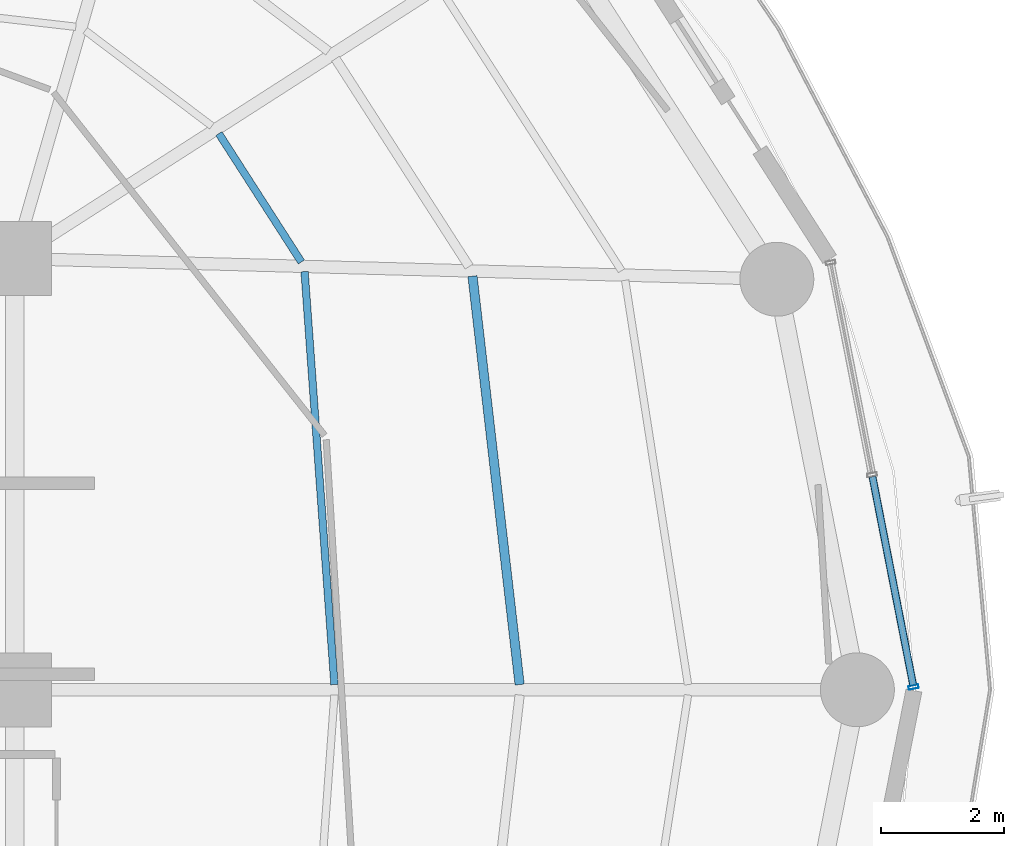
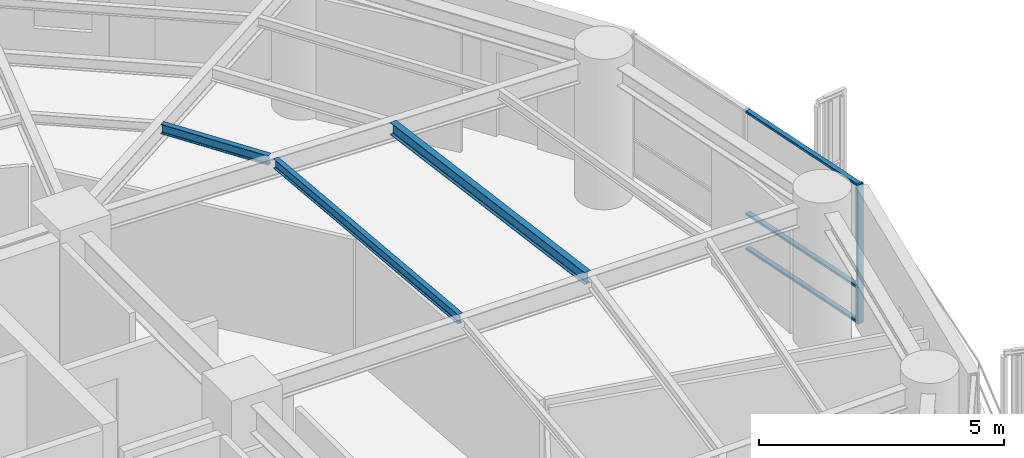
# One storey, part 13 of 27: 4 members, 3 beams, 1 element without a shape of its own.
"""IFC4 building model written with IfcOpenShell, lengths in metres."""

from ifc_helpers import new_model, si_unit, direction, frame, origin, origin_2d, place, context, subcontext, project, spatial, hollow_rectangle, i_section, extrude, material, layer, layer_set, material_profile, profile_set, type_object, element, aggregate, save


model = new_model("IFC4")

# Units and contexts
model_context = context("Model", 3, precision=1e-05, world=origin(), true_north=direction((0.0, 1.0)))
body_context = subcontext(model_context, "Body", "Model", "MODEL_VIEW")
ifc_project = project(units=[si_unit("LENGTHUNIT", "METRE"), si_unit("AREAUNIT", "SQUARE_METRE"), si_unit("VOLUMEUNIT", "CUBIC_METRE"), si_unit("PLANEANGLEUNIT", "RADIAN"), si_unit("MASSUNIT", "GRAM", prefix="KILO")], contexts=[model_context])

# Site, building, storey
site_placement = place(None, origin())
site = spatial("IfcSite", under=ifc_project, at=site_placement, CompositionType="ELEMENT")
building_placement = place(site_placement, origin())
building = spatial("IfcBuilding", under=site, at=building_placement, Name="Kelanora Arch Commons", CompositionType="ELEMENT")
storey_placement = place(building_placement, frame((0.0, 0.0, 150.60009765625)))
storey = spatial("IfcBuildingStorey", under=building, at=storey_placement, Name="L38", CompositionType="ELEMENT", Elevation=150.60009765625)

# Beams
ifc_material_1 = material(Name="Steel S355", Category="steel")
ifc_material_profile_1 = material_profile(ifc_material_1, i_section(OverallWidth=0.14990234375, OverallDepth=0.300048828125, WebThickness=0.007080078125, FlangeThickness=0.0107421875, FilletRadius=0.014892578125, at=origin_2d()), Name="IPE300")
ifc_profile_set_1 = profile_set([ifc_material_profile_1], Name="Steel S355")
beam_type_1 = type_object("IfcBeamType", Name="BM-JST-01", PredefinedType="JOIST", material=ifc_profile_set_1)
beam_1_placement = place(storey_placement, frame((90.1982421875, 58.08447265625, 3.33984375), z_axis=(-0.114667159005, 0.9934039675, 0.0), x_axis=(-0.9934039675, -0.114667159005, 0.0)))
element("IfcBeam", 1, at=beam_1_placement, inside=storey, type_object=beam_type_1, Name="Secondary Chord Joist BJB-00 L38", PredefinedType="JOIST", context=body_context, shape_type="SweptSolid", body=[
    extrude(i_section(OverallWidth=0.14990234375, OverallDepth=0.300048828125, WebThickness=0.007080078125, FlangeThickness=0.0107421875, FilletRadius=0.014892578125, at=origin_2d()), origin(), (0.0, 0.0, 1.0), 6.672607421875),
])
ifc_material_profile_2 = material_profile(ifc_material_1, i_section(OverallWidth=0.1201171875, OverallDepth=0.239990234375, WebThickness=0.006103515625, FlangeThickness=0.009765625, FilletRadius=0.014892578125, at=origin_2d()), Name="IPE240")
ifc_profile_set_2 = profile_set([ifc_material_profile_2], Name="Steel S355")
beam_type_2 = type_object("IfcBeamType", Name="BM-JST-02", PredefinedType="JOIST", material=ifc_profile_set_2)
beam_2_placement = place(storey_placement, frame((87.1923828125, 58.084716796875, 3.369873046875), z_axis=(-0.072117123738, 0.997396170267, 0.0), x_axis=(-0.997396170267, -0.072117123738, 0.0)))
element("IfcBeam", 2, at=beam_2_placement, inside=storey, type_object=beam_type_2, Name="Secondary Chord Joist BJA-00 L38", PredefinedType="JOIST", context=body_context, shape_type="SweptSolid", body=[
    extrude(i_section(OverallWidth=0.1201171875, OverallDepth=0.239990234375, WebThickness=0.006103515625, FlangeThickness=0.009765625, FilletRadius=0.014892578125, at=origin_2d()), origin(), (0.0, 0.0, 1.0), 6.719970703125),
])
beam_3_placement = place(storey_placement, frame((86.655517578125, 64.943359375, 3.369873046875), z_axis=(-0.540583174025, 0.841290575224, 0.0), x_axis=(-0.841290575224, -0.540583174025, 0.0)))
element("IfcBeam", 3, at=beam_3_placement, inside=storey, type_object=beam_type_2, Name="Secondary Chord Joist BJA-02 L38", PredefinedType="JOIST", context=body_context, shape_type="SweptSolid", body=[
    extrude(i_section(OverallWidth=0.1201171875, OverallDepth=0.239990234375, WebThickness=0.006103515625, FlangeThickness=0.009765625, FilletRadius=0.014892578125, at=origin_2d()), origin(), (0.0, 0.0, 1.0), 2.476318359375),
])

# Curtain wall, members
ifc_material_2 = material(Name="Terracotta ceramic-fritted low-E glass and aluminium", Category="masonry")
ifc_layer = layer(ifc_material_2, 0.175048828125)
ifc_layer_set = layer_set([ifc_layer], Name="Terracotta ceramic-fritted low-E glass and aluminium")
curtain_wall_type = type_object("IfcCurtainWallType", Name="CW-SYS-02", PredefinedType="NOTDEFINED", material=ifc_layer_set)
curtain_wall_placement = place(storey_placement, origin())
curtain_wall = element("IfcCurtainWall", 4, at=curtain_wall_placement, inside=storey, type_object=curtain_wall_type, Name="Unitised Curtain Wall L38-B00", PredefinedType="NOTDEFINED")
ifc_material_3 = material(Name="Powder-coated aluminium terracotta", Category="masonry")
ifc_material_profile_3 = material_profile(ifc_material_3, hollow_rectangle(XDim=0.159912109375, YDim=0.06005859375, WallThickness=0.0048828125, InnerFilletRadius=0.0048828125, OuterFilletRadius=0.010009765625, at=origin_2d()), Name="CWM160x60")
ifc_profile_set_3 = profile_set([ifc_material_profile_3], Name="Powder-coated aluminium terracotta")
member_type_1 = type_object("IfcMemberType", Name="CWM-STD", PredefinedType="MULLION", material=ifc_profile_set_3)
member_1_placement = place(storey_placement, frame((96.59130859375, 58.044189453125, 0.0), z_axis=(0.0, 0.0, 1.0), x_axis=(-0.981452557718, -0.191705182375, 0.0)))
member_1 = element("IfcMember", 5, at=member_1_placement, type_object=member_type_1, Name="CW-02 mullion 1", PredefinedType="MULLION", context=body_context, shape_type="SweptSolid", body=[
    extrude(hollow_rectangle(XDim=0.159912109375, YDim=0.06005859375, WallThickness=0.0048828125, InnerFilletRadius=0.0048828125, OuterFilletRadius=0.010009765625, at=origin_2d()), origin(), (0.0, 0.0, 1.0), 3.474853515625),
])
ifc_material_profile_4 = material_profile(ifc_material_3, hollow_rectangle(XDim=0.1201171875, YDim=0.06005859375, WallThickness=0.0048828125, InnerFilletRadius=0.0048828125, OuterFilletRadius=0.010009765625, at=origin_2d()), Name="CWT120x60")
ifc_profile_set_4 = profile_set([ifc_material_profile_4], Name="Powder-coated aluminium terracotta")
member_type_2 = type_object("IfcMemberType", Name="CWT-STD", PredefinedType="USERDEFINED", material=ifc_profile_set_4)
member_2_placement = place(storey_placement, frame((96.585693359375, 58.073486328125, 0.02978515625), z_axis=(-0.191718206447, 0.981450013662, 0.0), x_axis=(-0.981450013662, -0.191718206447, 0.0)))
member_2 = element("IfcMember", 6, at=member_2_placement, type_object=member_type_2, Name="CW-02 transom 1.1", ObjectType="TRANSOM", PredefinedType="USERDEFINED", context=body_context, shape_type="SweptSolid", body=[
    extrude(hollow_rectangle(XDim=0.1201171875, YDim=0.06005859375, WallThickness=0.0048828125, InnerFilletRadius=0.0048828125, OuterFilletRadius=0.010009765625, at=origin_2d()), origin(), (0.0, 0.0, 1.0), 3.44970703125),
])
member_3_placement = place(storey_placement, frame((96.585693359375, 58.073486328125, 0.89990234375), z_axis=(-0.191718206447, 0.981450013662, 0.0), x_axis=(-0.981450013662, -0.191718206447, 0.0)))
member_3 = element("IfcMember", 7, at=member_3_placement, type_object=member_type_2, Name="CW-02 transom 1.2", ObjectType="TRANSOM", PredefinedType="USERDEFINED", context=body_context, shape_type="SweptSolid", body=[
    extrude(hollow_rectangle(XDim=0.1201171875, YDim=0.06005859375, WallThickness=0.0048828125, InnerFilletRadius=0.0048828125, OuterFilletRadius=0.010009765625, at=origin_2d()), origin(), (0.0, 0.0, 1.0), 3.44970703125),
])
member_4_placement = place(storey_placement, frame((96.585693359375, 58.073486328125, 3.44482421875), z_axis=(-0.191718206447, 0.981450013662, 0.0), x_axis=(-0.981450013662, -0.191718206447, 0.0)))
member_4 = element("IfcMember", 8, at=member_4_placement, type_object=member_type_2, Name="CW-02 transom 1.3", ObjectType="TRANSOM", PredefinedType="USERDEFINED", context=body_context, shape_type="SweptSolid", body=[
    extrude(hollow_rectangle(XDim=0.1201171875, YDim=0.06005859375, WallThickness=0.0048828125, InnerFilletRadius=0.0048828125, OuterFilletRadius=0.010009765625, at=origin_2d()), origin(), (0.0, 0.0, 1.0), 3.44970703125),
])
aggregate(curtain_wall, [member_1, member_2, member_3, member_4])

save(model, "model.ifc")
